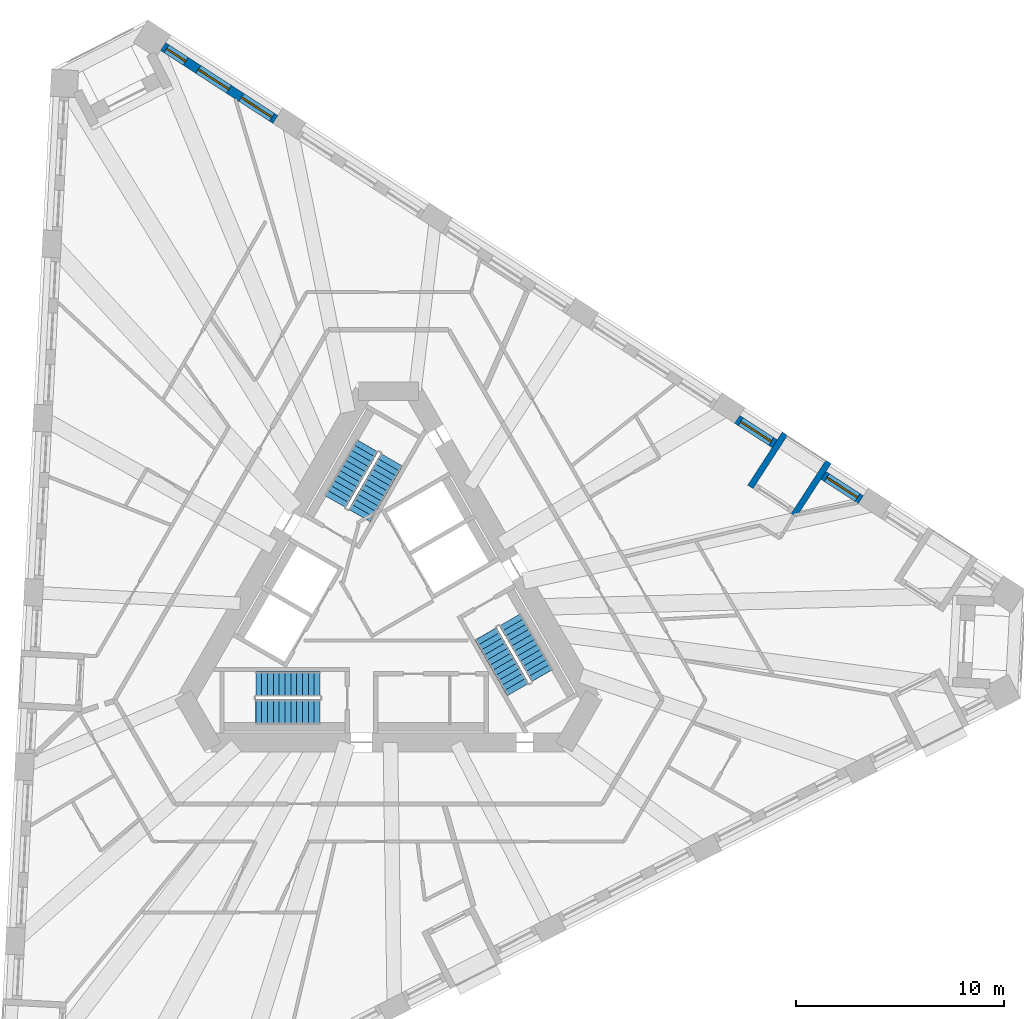
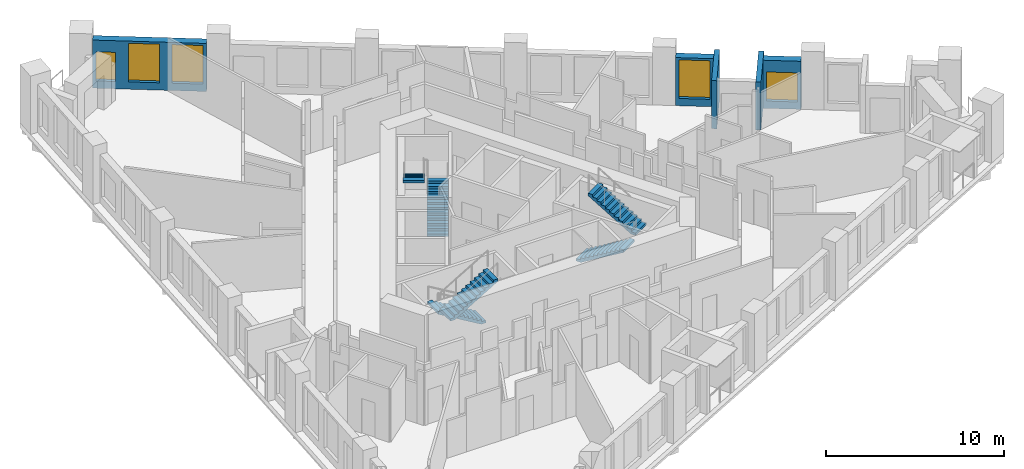
# One storey, part 9 of 13: 6 stair flights, 5 walls, 5 windows, 5 openings, 3 elements without a shape of their own.
"""IFC4 building model written with IfcOpenShell, lengths in metres."""

import ifcopenshell
import ifcopenshell.guid

model = None  # the IFC model being written
_history = None  # IfcOwnerHistory: only IFC2X3 demands one
_inside = {}  # id of a spatial element -> (the spatial element, [elements in it])
_under = {}  # id of a project, library or spatial element -> (it, [spatial elements below it])
_declared = {}  # id of a project -> (the project, [libraries it declares])
_typed = {}  # id of a type object -> (the type object, [elements of that type])
_made_of = {}  # id of a material, layer set ... -> (it, [elements and type objects made of it])


def new_model(schema):
    """Start an empty IFC model of exactly this schema.

    Asked for "IFC4X3", IfcOpenShell would pick the latest addendum, in which some entities
    have other attributes; the version numbers below select the first issue.
    IFC2X3 requires an IfcOwnerHistory on every rooted entity: one is made here for all.
    """
    global model, _history
    if schema == "IFC4X3":
        model = ifcopenshell.file(schema_version=(4, 3, 0, 0))
    else:
        model = ifcopenshell.file(schema=schema)
    _inside.clear()
    _under.clear()
    _declared.clear()
    _typed.clear()
    _made_of.clear()
    _history = None
    if model.schema == "IFC2X3":
        org = make("IfcOrganization", Name="unknown")
        user = make(
            "IfcPersonAndOrganization",
            ThePerson=make("IfcPerson", FamilyName="unknown"),
            TheOrganization=org,
        )
        app = make(
            "IfcApplication",
            ApplicationDeveloper=org,
            Version="unknown",
            ApplicationFullName="unknown",
            ApplicationIdentifier="unknown",
        )
        _history = make(
            "IfcOwnerHistory",
            OwningUser=user,
            OwningApplication=app,
            ChangeAction="ADDED",
            CreationDate=0,
        )
    return model


def make(cls, **values):
    """One entity of the class cls with the attributes given. An attribute that is None is left unset."""
    return model.create_entity(
        cls, **{name: value for name, value in values.items() if value is not None}
    )


def rooted(cls, **values):
    """An entity with a GlobalId (a new one), such as an element, a storey or a relation."""
    return make(cls, GlobalId=ifcopenshell.guid.new(), OwnerHistory=_history, **values)


def si_unit(unit_type, name, prefix=None):
    """IfcSIUnit, for example si_unit("LENGTHUNIT", "METRE", prefix="MILLI")."""
    return make("IfcSIUnit", UnitType=unit_type, Prefix=prefix, Name=name)


def assignment(units):
    """IfcUnitAssignment: the units of a project."""
    return None if units is None else make("IfcUnitAssignment", Units=units)


def point(xyz):
    """IfcCartesianPoint."""
    return None if xyz is None else make("IfcCartesianPoint", Coordinates=xyz)


def direction(xyz):
    """IfcDirection."""
    return None if xyz is None else make("IfcDirection", DirectionRatios=xyz)


def frame(location, z_axis=None, x_axis=None):
    """IfcAxis2Placement3D, a coordinate frame: its origin and axes. An axis left out is left unset."""
    return make(
        "IfcAxis2Placement3D",
        Location=point(location),
        Axis=direction(z_axis),
        RefDirection=direction(x_axis),
    )


def frame_2d(location, x_axis=None):
    """IfcAxis2Placement2D, a coordinate frame in the plane: its origin and x axis."""
    return make(
        "IfcAxis2Placement2D", Location=point(location), RefDirection=direction(x_axis)
    )


def origin():
    """The frame at (0, 0, 0) with its axes left unset."""
    return frame((0.0, 0.0, 0.0))


def place(relative_to, where):
    """IfcLocalPlacement: puts the frame where relative to a parent placement (None: the world)."""
    return make(
        "IfcLocalPlacement", PlacementRelTo=relative_to, RelativePlacement=where
    )


def context(
    kind, dimensions, precision=None, world=None, true_north=None, identifier=None
):
    """IfcGeometricRepresentationContext, for example the 3D "Model" context."""
    return make(
        "IfcGeometricRepresentationContext",
        ContextIdentifier=identifier,
        ContextType=kind,
        CoordinateSpaceDimension=dimensions,
        Precision=precision,
        WorldCoordinateSystem=world,
        TrueNorth=true_north,
    )


def subcontext(parent, identifier, kind, view, scale=None):
    """IfcGeometricRepresentationSubContext, for example "Body" below "Model"."""
    return make(
        "IfcGeometricRepresentationSubContext",
        ContextIdentifier=identifier,
        ContextType=kind,
        ParentContext=parent,
        TargetScale=scale,
        TargetView=view,
    )


def project(units=None, contexts=None):
    """IfcProject with its units and contexts."""
    return rooted(
        "IfcProject",
        Name="project",
        RepresentationContexts=contexts,
        UnitsInContext=assignment(units),
    )


def spatial(cls, under=None, at=None, **own):
    """A site, building, storey or space (cls), placed at a placement, below another one or the project."""
    s = rooted(cls, ObjectPlacement=at, **own)
    if under is not None:
        _under.setdefault(under.id(), (under, []))[1].append(s)
    return s


def polyline(points):
    """IfcPolyline through the points."""
    return make("IfcPolyline", Points=[point(p) for p in points])


def profile(cls, at=None, kind="AREA", **sizes):
    """A parametric profile (cls). Its sizes go by their IFC names, for example OverallWidth=200.0."""
    return make(cls, ProfileType=kind, Position=at, **sizes)


def rectangle(**sizes):
    """IfcRectangleProfileDef."""
    return profile("IfcRectangleProfileDef", **sizes)


def outline(outer, holes=None, kind="AREA"):
    """IfcArbitraryClosedProfileDef: a profile drawn as a closed curve; with holes, ...WithVoids."""
    if holes is None:
        return make("IfcArbitraryClosedProfileDef", ProfileType=kind, OuterCurve=outer)
    return make(
        "IfcArbitraryProfileDefWithVoids",
        ProfileType=kind,
        OuterCurve=outer,
        InnerCurves=holes,
    )


def extrude(swept, where, along, depth):
    """IfcExtrudedAreaSolid: the profile swept, set in the frame where, extruded along a direction by depth."""
    return make(
        "IfcExtrudedAreaSolid",
        SweptArea=swept,
        Position=where,
        ExtrudedDirection=direction(along),
        Depth=depth,
    )


def shape(context_of_items, identifier, shape_type, items):
    """IfcShapeRepresentation: the items that make up one representation, for example the "Body"."""
    return make(
        "IfcShapeRepresentation",
        ContextOfItems=context_of_items,
        RepresentationIdentifier=identifier,
        RepresentationType=shape_type,
        Items=items,
    )


def material(Name=None, Category=None):
    """IfcMaterial."""
    return make("IfcMaterial", Name=Name, Category=Category)


def layer(
    of_material, thickness, ventilated=None, Name=None, Category=None, Priority=None
):
    """IfcMaterialLayer: one layer of a wall or slab, of a material (None: an air gap)."""
    return make(
        "IfcMaterialLayer",
        Material=of_material,
        LayerThickness=thickness,
        IsVentilated=ventilated,
        Name=Name,
        Category=Category,
        Priority=Priority,
    )


def layer_set(layers, Name=None):
    """IfcMaterialLayerSet."""
    return make("IfcMaterialLayerSet", MaterialLayers=layers, LayerSetName=Name)


def made_of(thing, what):
    """Note that an element or type object is made of a material, layer set ...; save() writes the relation."""
    if what is not None:
        _made_of.setdefault(what.id(), (what, []))[1].append(thing)
    return thing


def type_object(cls, material=None, **own):
    """A type object (cls), such as IfcWallType, which elements share."""
    return made_of(rooted(cls, **own), material)


def element(
    cls,
    number,
    at=None,
    inside=None,
    cuts=None,
    type_object=None,
    material=None,
    context=None,
    identifier="Body",
    shape_type=None,
    held_by="IfcProductDefinitionShape",
    body=None,
    shapes=None,
    **own,
):
    """One element of the class cls, such as IfcWall. Its Tag is "e" and its number.

    at: its placement. inside: the storey or other place that contains it. cuts: it is an
    opening in that element (IfcRelVoidsElement). A single representation is given by context,
    identifier, shape_type and body (its items); several are given by shapes. held_by: the class
    of the entity that holds the representations. save() writes the other relations.
    """
    e = rooted(cls, Tag="e%d" % number, ObjectPlacement=at, **own)
    if body is not None:
        shapes = [shape(context, identifier, shape_type, body)]
    if shapes is not None:
        e.Representation = make(held_by, Representations=shapes)
    if inside is not None:
        _inside.setdefault(inside.id(), (inside, []))[1].append(e)
    if cuts is not None:
        rooted(
            "IfcRelVoidsElement", RelatingBuildingElement=cuts, RelatedOpeningElement=e
        )
    if type_object is not None:
        _typed.setdefault(type_object.id(), (type_object, []))[1].append(e)
    return made_of(e, material)


def fill(opening, filler):
    """IfcRelFillsElement: the door or window that sits in an opening."""
    return rooted(
        "IfcRelFillsElement",
        RelatingOpeningElement=opening,
        RelatedBuildingElement=filler,
    )


def aggregate(whole, parts):
    """IfcRelAggregates: a whole, such as a stair, and the parts it consists of."""
    return rooted("IfcRelAggregates", RelatingObject=whole, RelatedObjects=parts)


def save(model, path):
    """Write the relations noted so far, then the file.

    IfcRelAggregates (storeys below a building ...), IfcRelContainedInSpatialStructure (elements
    in a storey), IfcRelDefinesByType, IfcRelAssociatesMaterial and IfcRelDeclares: one each for
    every whole, place, type object, material and project.
    """
    for whole, parts in _under.values():
        aggregate(whole, parts)
    for where, things in _inside.values():
        rooted(
            "IfcRelContainedInSpatialStructure",
            RelatedElements=things,
            RelatingStructure=where,
        )
    for kind, things in _typed.values():
        rooted("IfcRelDefinesByType", RelatedObjects=things, RelatingType=kind)
    for what, things in _made_of.values():
        rooted("IfcRelAssociatesMaterial", RelatedObjects=things, RelatingMaterial=what)
    for by, libraries in _declared.values():
        rooted("IfcRelDeclares", RelatingContext=by, RelatedDefinitions=libraries)
    model.write(path)


model = new_model("IFC4")

# Units and contexts
model_context = context("Model", 3, precision=1e-05, world=origin(), true_north=direction((0.0, 1.0)))
body_context = subcontext(model_context, "Body", "Model", "MODEL_VIEW")
ifc_project = project(units=[si_unit("LENGTHUNIT", "METRE"), si_unit("AREAUNIT", "SQUARE_METRE"), si_unit("VOLUMEUNIT", "CUBIC_METRE"), si_unit("PLANEANGLEUNIT", "RADIAN"), si_unit("MASSUNIT", "GRAM", prefix="KILO")], contexts=[model_context])

# Site, building, storey
site_placement = place(None, origin())
site = spatial("IfcSite", under=ifc_project, at=site_placement, CompositionType="ELEMENT")
building_placement = place(site_placement, origin())
building = spatial("IfcBuilding", under=site, at=building_placement, Name="Tramontana Tower", CompositionType="ELEMENT")
storey_placement = place(building_placement, frame((0.0, 0.0, 141.60009765625)))
storey = spatial("IfcBuildingStorey", under=building, at=storey_placement, Name="L32", CompositionType="ELEMENT", Elevation=141.60009765625)

# Wall, opening, window
ifc_material_1 = material(Name="Precast concrete 60 MPa", Category="concrete")
ifc_layer_1 = layer(ifc_material_1, 0.449951171875)
ifc_layer_set_1 = layer_set([ifc_layer_1], Name="Precast concrete 60 MPa, 450 mm")
wall_type_1 = type_object("IfcWallType", Name="EW1 Stone-faced precast wall 450", PredefinedType="SOLIDWALL", material=ifc_layer_set_1)
wall_1_placement = place(storey_placement, frame((22.660400390625, 5.345703125, 0.0), z_axis=(0.0, 0.0, 1.0), x_axis=(-0.838675466927, 0.544631491171, 0.0)))
wall_1 = element("IfcWall", 1, at=wall_1_placement, inside=storey, type_object=wall_type_1, Name="External wall L32 face 2 bay 2", PredefinedType="SOLIDWALL", context=body_context, shape_type="SweptSolid", body=[
    extrude(rectangle(XDim=2.140380859375, YDim=0.449951171875, at=frame_2d((1.0703125, 0.0))), origin(), (0.0, 0.0, 1.0), 3.2998046875),
])
opening_1_placement = place(wall_1_placement, frame((0.1953125, 0.0, 0.5)))
opening_1 = element("IfcOpeningElement", 2, at=opening_1_placement, cuts=wall_1, Name="Opening M2L", PredefinedType="OPENING", context=body_context, shape_type="SweptSolid", body=[
    extrude(rectangle(XDim=1.75, YDim=2.0, at=frame_2d((0.875, 1.0))), frame((0.0, 0.23486328125, 0.0), z_axis=(0.0, -1.0, 0.0), x_axis=(1.0, 0.0, 0.0)), (0.0, 0.0, 1.0), 0.469970703125),
])
ifc_material_2 = material(Name="Aluminum frame, double glazing unit", Category="aluminium")
window_type_1 = type_object("IfcWindowType", Name="M2L Window 1.75 x 2", PartitioningType="SINGLE_PANEL", PredefinedType="WINDOW", material=ifc_material_2)
window_1_placement = place(opening_1_placement, origin())
window_1 = element("IfcWindow", 3, at=window_1_placement, inside=storey, type_object=window_type_1, Name="Window M2L L32 face 2 module 4", OverallHeight=2.0, OverallWidth=1.75, PartitioningType="SINGLE_PANEL", PredefinedType="WINDOW", context=body_context, shape_type="SweptSolid", body=[
    extrude(rectangle(XDim=1.75, YDim=2.0, at=frame_2d((0.875, 1.0))), frame((0.0, 0.030029296875, 0.0), z_axis=(0.0, -1.0, 0.0), x_axis=(1.0, 0.0, 0.0)), (0.0, 0.0, 1.0), 0.06005859375),
])
fill(opening_1, window_1)

wall_2_placement = place(storey_placement, frame((18.52490234375, 8.03125, 0.0), z_axis=(0.0, 0.0, 1.0), x_axis=(-0.838675466927, 0.544631491171, 0.0)))
wall_2 = element("IfcWall", 4, at=wall_2_placement, inside=storey, type_object=wall_type_1, Name="External wall L32 face 2 bay 2", PredefinedType="SOLIDWALL", context=body_context, shape_type="SweptSolid", body=[
    extrude(rectangle(XDim=2.140380859375, YDim=0.449951171875, at=frame_2d((1.0703125, 0.0))), origin(), (0.0, 0.0, 1.0), 3.2998046875),
])
opening_2_placement = place(wall_2_placement, frame((0.1953125, 0.0, 0.5)))
opening_2 = element("IfcOpeningElement", 5, at=opening_2_placement, cuts=wall_2, Name="Opening M2", PredefinedType="OPENING", context=body_context, shape_type="SweptSolid", body=[
    extrude(rectangle(XDim=1.75, YDim=2.64990234375, at=frame_2d((0.875, 1.324951171875))), frame((0.0, 0.23486328125, 0.0), z_axis=(0.0, -1.0, 0.0), x_axis=(1.0, 0.0, 0.0)), (0.0, 0.0, 1.0), 0.469970703125),
])
ifc_material_3 = material(Name="Aluminum frame, double glazing unit", Category="aluminium")
window_type_2 = type_object("IfcWindowType", Name="M2 Window 1.75 x 2.65", PartitioningType="SINGLE_PANEL", PredefinedType="WINDOW", material=ifc_material_3)
window_2_placement = place(opening_2_placement, origin())
window_2 = element("IfcWindow", 6, at=window_2_placement, inside=storey, type_object=window_type_2, Name="Window M2 L32 face 2 module 6", OverallHeight=2.64990234375, OverallWidth=1.75, PartitioningType="SINGLE_PANEL", PredefinedType="WINDOW", context=body_context, shape_type="SweptSolid", body=[
    extrude(rectangle(XDim=1.75, YDim=2.64990234375, at=frame_2d((0.875, 1.324951171875))), frame((0.0, 0.030029296875, 0.0), z_axis=(0.0, -1.0, 0.0), x_axis=(1.0, 0.0, 0.0)), (0.0, 0.0, 1.0), 0.06005859375),
])
fill(opening_2, window_2)

# Wall, openings, windows
wall_3_placement = place(storey_placement, frame((-5.423583984375, 23.583740234375, 0.0), z_axis=(0.0, 0.0, 1.0), x_axis=(-0.838675466927, 0.544631491171, 0.0)))
wall_3 = element("IfcWall", 7, at=wall_3_placement, inside=storey, type_object=wall_type_1, Name="External wall L32 face 2 bay 6", PredefinedType="SOLIDWALL", context=body_context, shape_type="SweptSolid", body=[
    extrude(rectangle(XDim=6.42138671875, YDim=0.449951171875, at=frame_2d((3.210693359375, 0.0))), origin(), (0.0, 0.0, 1.0), 3.2998046875),
])
opening_3_placement = place(wall_3_placement, frame((0.1953125, 0.0, 0.5)))
opening_3 = element("IfcOpeningElement", 8, at=opening_3_placement, cuts=wall_3, Name="Opening M2", PredefinedType="OPENING", context=body_context, shape_type="SweptSolid", body=[
    extrude(rectangle(XDim=1.75, YDim=2.64990234375, at=frame_2d((0.875, 1.324951171875))), frame((0.0, 0.23486328125, 0.0), z_axis=(0.0, -1.0, 0.0), x_axis=(1.0, 0.0, 0.0)), (0.0, 0.0, 1.0), 0.469970703125),
])
opening_4_placement = place(wall_3_placement, frame((2.660888671875, 0.0, 0.5)))
opening_4 = element("IfcOpeningElement", 9, at=opening_4_placement, cuts=wall_3, Name="Opening M2", PredefinedType="OPENING", context=body_context, shape_type="SweptSolid", body=[
    extrude(rectangle(XDim=1.75, YDim=2.64990234375, at=frame_2d((0.875, 1.324951171875))), frame((0.0, 0.23486328125, 0.0), z_axis=(0.0, -1.0, 0.0), x_axis=(1.0, 0.0, 0.0)), (0.0, 0.0, 1.0), 0.469970703125),
])
opening_5_placement = place(wall_3_placement, frame((5.126220703125, 0.0, 0.5)))
opening_5 = element("IfcOpeningElement", 10, at=opening_5_placement, cuts=wall_3, Name="Opening N2L", PredefinedType="OPENING", context=body_context, shape_type="SweptSolid", body=[
    extrude(rectangle(XDim=1.10009765625, YDim=2.0, at=frame_2d((0.550048828125, 1.0))), frame((0.0, 0.23486328125, 0.0), z_axis=(0.0, -1.0, 0.0), x_axis=(1.0, 0.0, 0.0)), (0.0, 0.0, 1.0), 0.469970703125),
])
window_3_placement = place(opening_3_placement, origin())
window_3 = element("IfcWindow", 11, at=window_3_placement, inside=storey, type_object=window_type_2, Name="Window M2 L32 face 2 module 16", OverallHeight=2.64990234375, OverallWidth=1.75, PartitioningType="SINGLE_PANEL", PredefinedType="WINDOW", context=body_context, shape_type="SweptSolid", body=[
    extrude(rectangle(XDim=1.75, YDim=2.64990234375, at=frame_2d((0.875, 1.324951171875))), frame((0.0, 0.030029296875, 0.0), z_axis=(0.0, -1.0, 0.0), x_axis=(1.0, 0.0, 0.0)), (0.0, 0.0, 1.0), 0.06005859375),
])
fill(opening_3, window_3)
window_4_placement = place(opening_4_placement, origin())
window_4 = element("IfcWindow", 12, at=window_4_placement, inside=storey, type_object=window_type_2, Name="Window M2 L32 face 2 module 17", OverallHeight=2.64990234375, OverallWidth=1.75, PartitioningType="SINGLE_PANEL", PredefinedType="WINDOW", context=body_context, shape_type="SweptSolid", body=[
    extrude(rectangle(XDim=1.75, YDim=2.64990234375, at=frame_2d((0.875, 1.324951171875))), frame((0.0, 0.030029296875, 0.0), z_axis=(0.0, -1.0, 0.0), x_axis=(1.0, 0.0, 0.0)), (0.0, 0.0, 1.0), 0.06005859375),
])
fill(opening_4, window_4)
ifc_material_4 = material(Name="Aluminum frame, double glazing unit", Category="aluminium")
window_type_3 = type_object("IfcWindowType", Name="N2L Window 1.1 x 2", PartitioningType="SINGLE_PANEL", PredefinedType="WINDOW", material=ifc_material_4)
window_5_placement = place(opening_5_placement, origin())
window_5 = element("IfcWindow", 13, at=window_5_placement, inside=storey, type_object=window_type_3, Name="Window N2L L32 face 2 module 18", OverallHeight=2.0, OverallWidth=1.10009765625, PartitioningType="SINGLE_PANEL", PredefinedType="WINDOW", context=body_context, shape_type="SweptSolid", body=[
    extrude(rectangle(XDim=1.10009765625, YDim=2.0, at=frame_2d((0.550048828125, 1.0))), frame((0.0, 0.030029296875, 0.0), z_axis=(0.0, -1.0, 0.0), x_axis=(1.0, 0.0, 0.0)), (0.0, 0.0, 1.0), 0.06005859375),
])
fill(opening_5, window_5)

# Walls
ifc_material_5 = material(Name="Precast concrete 60 MPa", Category="concrete")
ifc_layer_2 = layer(ifc_material_5, 0.300048828125)
ifc_layer_set_2 = layer_set([ifc_layer_2], Name="LW1 Stone-faced loggia wall 300")
wall_type_2 = type_object("IfcWallType", Name="LW1 Stone-faced loggia wall 300", PredefinedType="SOLIDWALL", material=ifc_layer_set_2)
for number, where, z_axis, x_axis, name in (
    (14, (21.10693359375, 7.1591796875, 0.0), (0.0, 0.0, 1.0), (-0.544647854685, -0.838664840319, 0.0), "Loggia return L32 G3S2.4a"),
    (15, (19.018310546875, 8.515625, 0.0), (0.0, 0.0, 1.0), (-0.544647854685, -0.838664840319, 0.0), "Loggia return L32 G3S2.4b"),
):
    element("IfcWall", number, at=place(storey_placement, frame(where, z_axis=z_axis, x_axis=x_axis)), inside=storey, type_object=wall_type_2, Name=name, PredefinedType="SOLIDWALL", context=body_context, shape_type="SweptSolid", body=[
        extrude(rectangle(XDim=3.0498046875, YDim=0.300048828125, at=frame_2d((1.52490234375, 0.0))), origin(), (0.0, 0.0, 1.0), 3.2998046875),
    ])

# Stair, stair flights
ifc_material_6 = material(Name="Concrete 40 MPa", Category="concrete")
stair_type = type_object("IfcStairType", Name="EXIT STAIR 24 RISERS", PredefinedType="HALF_TURN_STAIR", material=ifc_material_6)
stair_1_placement = place(storey_placement, origin())
stair_1 = element("IfcStair", 16, at=stair_1_placement, inside=storey, type_object=stair_type, Name="L32 Exit stair ST1", PredefinedType="HALF_TURN_STAIR")
ifc_material_7 = material(Name="Concrete 40 MPa", Category="concrete")
ifc_layer_3 = layer(ifc_material_7, 0.14990234375)
ifc_layer_set_3 = layer_set([ifc_layer_3], Name="EXIT STAIR FLIGHT")
stair_flight_type = type_object("IfcStairFlightType", Name="EXIT STAIR FLIGHT", PredefinedType="STRAIGHT", material=ifc_layer_set_3)
stair_flight_1_placement = place(storey_placement, frame((-1.39111328125, 4.590576171875, 0.0), z_axis=(0.0, 0.0, 1.0), x_axis=(0.5, 0.866025403784, 0.0)))
stair_flight_1 = element("IfcStairFlight", 17, at=stair_flight_1_placement, type_object=stair_flight_type, Name="ST1 flight 1", NumberOfRisers=12, NumberOfTreads=11, PredefinedType="STRAIGHT", RiserHeight=0.166666667, TreadLength=0.28, context=body_context, shape_type="SweptSolid", body=[
    extrude(outline(polyline([(-0.006103515625, 0.0), (-0.006103515625, 0.0400390625), (0.0, 0.0400390625), (0.0, 0.166748046875), (0.280029296875, 0.166748046875), (0.280029296875, 0.333251953125), (0.56005859375, 0.333251953125), (0.56005859375, 0.5), (0.840087890625, 0.5), (0.840087890625, 0.666748046875), (1.1201171875, 0.666748046875), (1.1201171875, 0.833251953125), (1.39990234375, 0.833251953125), (1.39990234375, 1.0), (1.679931640625, 1.0), (1.679931640625, 1.166748046875), (1.9599609375, 1.166748046875), (1.9599609375, 1.333251953125), (2.239990234375, 1.333251953125), (2.239990234375, 1.5), (2.52001953125, 1.5), (2.52001953125, 1.666748046875), (2.800048828125, 1.666748046875), (2.800048828125, 1.833251953125), (3.080078125, 1.833251953125), (3.0859375, 1.833251953125), (3.0859375, 1.658935546875), (0.299072265625, 0.0), (-0.006103515625, 0.0)])), frame((0.0, 0.60009765625, 0.0), z_axis=(0.0, -1.0, 0.0), x_axis=(1.0, 0.0, 0.0)), (0.0, 0.0, 1.0), 1.199951171875),
])
stair_flight_2_placement = place(storey_placement, frame((-1.020263671875, 7.932861328125, 2.0), z_axis=(0.0, 0.0, 1.0), x_axis=(-0.5, -0.866025403784, 0.0)))
stair_flight_2 = element("IfcStairFlight", 18, at=stair_flight_2_placement, type_object=stair_flight_type, Name="ST1 flight 2", NumberOfRisers=12, NumberOfTreads=11, PredefinedType="STRAIGHT", RiserHeight=0.166666667, TreadLength=0.28, context=body_context, shape_type="SweptSolid", body=[
    extrude(outline(polyline([(-0.006103515625, 0.0), (-0.006103515625, 0.0400390625), (0.0, 0.0400390625), (0.0, 0.166748046875), (0.280029296875, 0.166748046875), (0.280029296875, 0.333251953125), (0.56005859375, 0.333251953125), (0.56005859375, 0.5), (0.840087890625, 0.5), (0.840087890625, 0.666748046875), (1.1201171875, 0.666748046875), (1.1201171875, 0.833251953125), (1.39990234375, 0.833251953125), (1.39990234375, 1.0), (1.679931640625, 1.0), (1.679931640625, 1.166748046875), (1.9599609375, 1.166748046875), (1.9599609375, 1.333251953125), (2.239990234375, 1.333251953125), (2.239990234375, 1.5), (2.52001953125, 1.5), (2.52001953125, 1.666748046875), (2.800048828125, 1.666748046875), (2.800048828125, 1.833251953125), (3.080078125, 1.833251953125), (3.0859375, 1.833251953125), (3.0859375, 1.658935546875), (0.299072265625, 0.0), (-0.006103515625, 0.0)])), frame((0.0, 0.60009765625, 0.0), z_axis=(0.0, -1.0, 0.0), x_axis=(1.0, 0.0, 0.0)), (0.0, 0.0, 1.0), 1.199951171875),
])
aggregate(stair_1, [stair_flight_1, stair_flight_2])

stair_2_placement = place(storey_placement, origin())
stair_2 = element("IfcStair", 19, at=stair_2_placement, inside=storey, type_object=stair_type, Name="L32 Exit stair ST2", PredefinedType="HALF_TURN_STAIR")
stair_flight_3_placement = place(storey_placement, frame((-3.280029296875, -3.5, 0.0), z_axis=(0.0, 0.0, 1.0), x_axis=(-1.0, 0.0, 0.0)))
stair_flight_3 = element("IfcStairFlight", 20, at=stair_flight_3_placement, type_object=stair_flight_type, Name="ST2 flight 1", NumberOfRisers=12, NumberOfTreads=11, PredefinedType="STRAIGHT", RiserHeight=0.166666667, TreadLength=0.28, context=body_context, shape_type="SweptSolid", body=[
    extrude(outline(polyline([(-0.006103515625, 0.0), (-0.006103515625, 0.0400390625), (0.0, 0.0400390625), (0.0, 0.166748046875), (0.280029296875, 0.166748046875), (0.280029296875, 0.333251953125), (0.56005859375, 0.333251953125), (0.56005859375, 0.5), (0.840087890625, 0.5), (0.840087890625, 0.666748046875), (1.1201171875, 0.666748046875), (1.1201171875, 0.833251953125), (1.39990234375, 0.833251953125), (1.39990234375, 1.0), (1.679931640625, 1.0), (1.679931640625, 1.166748046875), (1.9599609375, 1.166748046875), (1.9599609375, 1.333251953125), (2.239990234375, 1.333251953125), (2.239990234375, 1.5), (2.52001953125, 1.5), (2.52001953125, 1.666748046875), (2.800048828125, 1.666748046875), (2.800048828125, 1.833251953125), (3.080078125, 1.833251953125), (3.0859375, 1.833251953125), (3.0859375, 1.658935546875), (0.299072265625, 0.0), (-0.006103515625, 0.0)])), frame((0.0, 0.60009765625, 0.0), z_axis=(0.0, -1.0, 0.0), x_axis=(1.0, 0.0, 0.0)), (0.0, 0.0, 1.0), 1.199951171875),
])
stair_flight_4_placement = place(storey_placement, frame((-6.360107421875, -4.85009765625, 2.0), z_axis=(0.0, 0.0, 1.0), x_axis=(1.0, 0.0, 0.0)))
stair_flight_4 = element("IfcStairFlight", 21, at=stair_flight_4_placement, type_object=stair_flight_type, Name="ST2 flight 2", NumberOfRisers=12, NumberOfTreads=11, PredefinedType="STRAIGHT", RiserHeight=0.166666667, TreadLength=0.28, context=body_context, shape_type="SweptSolid", body=[
    extrude(outline(polyline([(-0.006103515625, 0.0), (-0.006103515625, 0.0400390625), (0.0, 0.0400390625), (0.0, 0.166748046875), (0.280029296875, 0.166748046875), (0.280029296875, 0.333251953125), (0.56005859375, 0.333251953125), (0.56005859375, 0.5), (0.840087890625, 0.5), (0.840087890625, 0.666748046875), (1.1201171875, 0.666748046875), (1.1201171875, 0.833251953125), (1.39990234375, 0.833251953125), (1.39990234375, 1.0), (1.679931640625, 1.0), (1.679931640625, 1.166748046875), (1.9599609375, 1.166748046875), (1.9599609375, 1.333251953125), (2.239990234375, 1.333251953125), (2.239990234375, 1.5), (2.52001953125, 1.5), (2.52001953125, 1.666748046875), (2.800048828125, 1.666748046875), (2.800048828125, 1.833251953125), (3.080078125, 1.833251953125), (3.0859375, 1.833251953125), (3.0859375, 1.658935546875), (0.299072265625, 0.0), (-0.006103515625, 0.0)])), frame((0.0, 0.60009765625, 0.0), z_axis=(0.0, -1.0, 0.0), x_axis=(1.0, 0.0, 0.0)), (0.0, 0.0, 1.0), 1.199951171875),
])
aggregate(stair_2, [stair_flight_3, stair_flight_4])

stair_3_placement = place(storey_placement, origin())
stair_3 = element("IfcStair", 22, at=stair_3_placement, inside=storey, type_object=stair_type, Name="L32 Exit stair ST3", PredefinedType="HALF_TURN_STAIR")
stair_flight_5_placement = place(storey_placement, frame((4.671142578125, -1.090576171875, 0.0), z_axis=(0.0, 0.0, 1.0), x_axis=(0.5, -0.866025403784, 0.0)))
stair_flight_5 = element("IfcStairFlight", 23, at=stair_flight_5_placement, type_object=stair_flight_type, Name="ST3 flight 1", NumberOfRisers=12, NumberOfTreads=11, PredefinedType="STRAIGHT", RiserHeight=0.166666667, TreadLength=0.28, context=body_context, shape_type="SweptSolid", body=[
    extrude(outline(polyline([(-0.006103515625, 0.0), (-0.006103515625, 0.0400390625), (0.0, 0.0400390625), (0.0, 0.166748046875), (0.280029296875, 0.166748046875), (0.280029296875, 0.333251953125), (0.56005859375, 0.333251953125), (0.56005859375, 0.5), (0.840087890625, 0.5), (0.840087890625, 0.666748046875), (1.1201171875, 0.666748046875), (1.1201171875, 0.833251953125), (1.39990234375, 0.833251953125), (1.39990234375, 1.0), (1.679931640625, 1.0), (1.679931640625, 1.166748046875), (1.9599609375, 1.166748046875), (1.9599609375, 1.333251953125), (2.239990234375, 1.333251953125), (2.239990234375, 1.5), (2.52001953125, 1.5), (2.52001953125, 1.666748046875), (2.800048828125, 1.666748046875), (2.800048828125, 1.833251953125), (3.080078125, 1.833251953125), (3.0859375, 1.833251953125), (3.0859375, 1.658935546875), (0.299072265625, 0.0), (-0.006103515625, 0.0)])), frame((0.0, 0.60009765625, 0.0), z_axis=(0.0, -1.0, 0.0), x_axis=(1.0, 0.0, 0.0)), (0.0, 0.0, 1.0), 1.199951171875),
])
stair_flight_6_placement = place(storey_placement, frame((7.380126953125, -3.0830078125, 2.0), z_axis=(0.0, 0.0, 1.0), x_axis=(-0.5, 0.866025403784, 0.0)))
stair_flight_6 = element("IfcStairFlight", 24, at=stair_flight_6_placement, type_object=stair_flight_type, Name="ST3 flight 2", NumberOfRisers=12, NumberOfTreads=11, PredefinedType="STRAIGHT", RiserHeight=0.166666667, TreadLength=0.28, context=body_context, shape_type="SweptSolid", body=[
    extrude(outline(polyline([(-0.006103515625, 0.0), (-0.006103515625, 0.0400390625), (0.0, 0.0400390625), (0.0, 0.166748046875), (0.280029296875, 0.166748046875), (0.280029296875, 0.333251953125), (0.56005859375, 0.333251953125), (0.56005859375, 0.5), (0.840087890625, 0.5), (0.840087890625, 0.666748046875), (1.1201171875, 0.666748046875), (1.1201171875, 0.833251953125), (1.39990234375, 0.833251953125), (1.39990234375, 1.0), (1.679931640625, 1.0), (1.679931640625, 1.166748046875), (1.9599609375, 1.166748046875), (1.9599609375, 1.333251953125), (2.239990234375, 1.333251953125), (2.239990234375, 1.5), (2.52001953125, 1.5), (2.52001953125, 1.666748046875), (2.800048828125, 1.666748046875), (2.800048828125, 1.833251953125), (3.080078125, 1.833251953125), (3.0859375, 1.833251953125), (3.0859375, 1.658935546875), (0.299072265625, 0.0), (-0.006103515625, 0.0)])), frame((0.0, 0.60009765625, 0.0), z_axis=(0.0, -1.0, 0.0), x_axis=(1.0, 0.0, 0.0)), (0.0, 0.0, 1.0), 1.199951171875),
])
aggregate(stair_3, [stair_flight_5, stair_flight_6])

save(model, "model.ifc")
